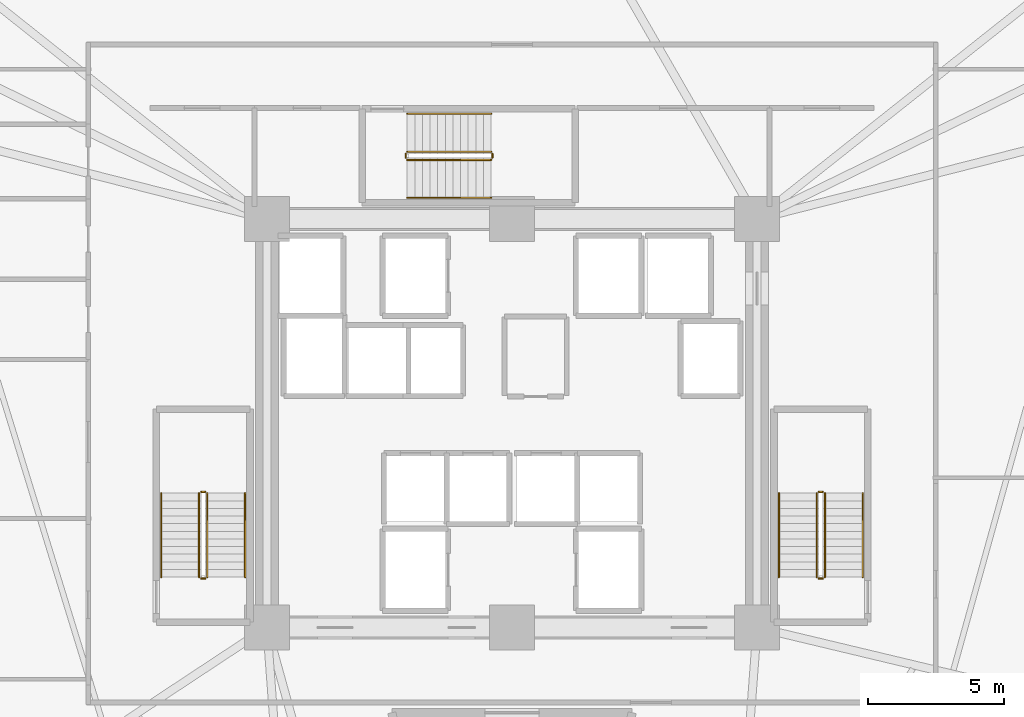
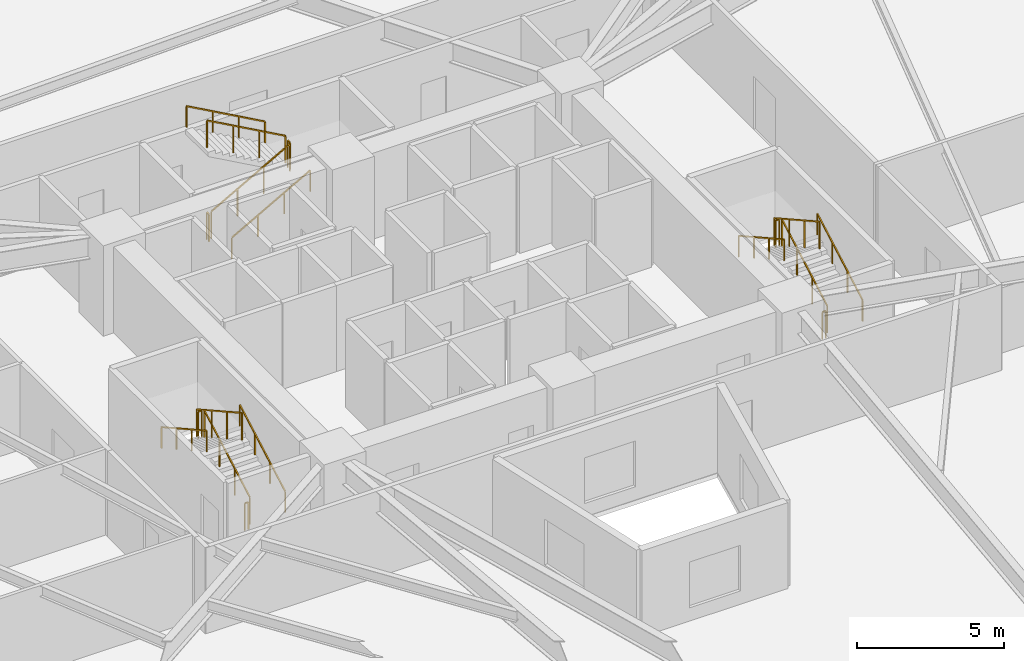
# One storey, part 8 of 8: 18 railings.
"""IFC4 building model written with IfcOpenShell, lengths in metres."""

from ifc_helpers import new_model, si_unit, direction, frame, origin, origin_2d, place, context, subcontext, project, spatial, rectangle, extrude, material, type_object, element, save


model = new_model("IFC4")

# Units and contexts
model_context = context("Model", 3, precision=1e-05, world=origin(), true_north=direction((0.0, 1.0)))
body_context = subcontext(model_context, "Body", "Model", "MODEL_VIEW")
ifc_project = project(units=[si_unit("LENGTHUNIT", "METRE"), si_unit("AREAUNIT", "SQUARE_METRE"), si_unit("VOLUMEUNIT", "CUBIC_METRE"), si_unit("PLANEANGLEUNIT", "RADIAN"), si_unit("MASSUNIT", "GRAM", prefix="KILO")], contexts=[model_context])

# Site, building, storey
site_placement = place(None, origin())
site = spatial("IfcSite", under=ifc_project, at=site_placement, CompositionType="ELEMENT")
building_placement = place(site_placement, origin())
building = spatial("IfcBuilding", under=site, at=building_placement, Name="Liaohun Quay Tower", CompositionType="ELEMENT")
storey_placement = place(building_placement, frame((0.0, 0.0, 32.25)))
storey = spatial("IfcBuildingStorey", under=building, at=storey_placement, Name="L08", CompositionType="ELEMENT", Elevation=32.25)

# Railings
ifc_material_1 = material(Name="Painted tubular steel", Category="steel")
railing_type_1 = type_object("IfcRailingType", Name="RLG-GUARD-STR", PredefinedType="GUARDRAIL", material=ifc_material_1)
railing_1_placement = place(storey_placement, frame((48.81005859375, 48.35009765625, 0.15625)))
element("IfcRailing", 1, at=railing_1_placement, inside=storey, type_object=railing_type_1, Name="L08 ST-1 stair guard 1", PredefinedType="GUARDRAIL", context=body_context, shape_type="SweptSolid", body=[
    extrude(rectangle(XDim=0.048095703125, YDim=0.048095703125, at=origin_2d()), frame((0.0, 0.0, 1.1259765625), z_axis=(0.0, 0.873225103656, 0.487317061414), x_axis=(-1.0, 0.0, 0.0)), (0.0, 0.0, 1.0), 3.52685546875),
    extrude(rectangle(XDim=0.0419921875, YDim=0.0419921875, at=origin_2d()), origin(), (0.0, 0.0, 1.0), 1.101806640625),
    extrude(rectangle(XDim=0.0419921875, YDim=0.0419921875, at=origin_2d()), frame((0.0, 1.026611328125, 0.572998046875)), (0.0, 0.0, 1.0), 1.101806640625),
    extrude(rectangle(XDim=0.0419921875, YDim=0.0419921875, at=origin_2d()), frame((0.0, 2.05322265625, 1.145751953125)), (0.0, 0.0, 1.0), 1.101806640625),
    extrude(rectangle(XDim=0.0419921875, YDim=0.0419921875, at=origin_2d()), frame((0.0, 3.079833984375, 1.71875)), (0.0, 0.0, 1.0), 1.101806640625),
])
railing_2_placement = place(storey_placement, frame((48.72998046875, 51.47998046875, 1.875)))
element("IfcRailing", 2, at=railing_2_placement, inside=storey, type_object=railing_type_1, Name="L08 ST-1 stair guard 2", PredefinedType="GUARDRAIL", context=body_context, shape_type="SweptSolid", body=[
    extrude(rectangle(XDim=0.048095703125, YDim=0.048095703125, at=origin_2d()), frame((0.0, 0.0, 1.1259765625), z_axis=(-1.0, 0.0, 0.0), x_axis=(0.0, -1.0, 0.0)), (0.0, 0.0, 1.0), 0.139892578125),
    extrude(rectangle(XDim=0.0419921875, YDim=0.0419921875, at=origin_2d()), origin(), (0.0, 0.0, 1.0), 1.101806640625),
    extrude(rectangle(XDim=0.0419921875, YDim=0.0419921875, at=origin_2d()), frame((-0.139892578125, 0.0, 0.0)), (0.0, 0.0, 1.0), 1.101806640625),
])
railing_3_placement = place(storey_placement, frame((48.510009765625, 51.429931640625, 2.03125)))
element("IfcRailing", 3, at=railing_3_placement, inside=storey, type_object=railing_type_1, Name="L08 ST-1 stair guard 3", PredefinedType="GUARDRAIL", context=body_context, shape_type="SweptSolid", body=[
    extrude(rectangle(XDim=0.048095703125, YDim=0.048095703125, at=origin_2d()), frame((0.0, 0.0, 1.1259765625), z_axis=(0.0, -0.873225103656, 0.487317061414), x_axis=(1.0, 0.0, 0.0)), (0.0, 0.0, 1.0), 3.52685546875),
    extrude(rectangle(XDim=0.0419921875, YDim=0.0419921875, at=origin_2d()), origin(), (0.0, 0.0, 1.0), 1.101806640625),
    extrude(rectangle(XDim=0.0419921875, YDim=0.0419921875, at=origin_2d()), frame((0.0, -1.026611328125, 0.572998046875)), (0.0, 0.0, 1.0), 1.101806640625),
    extrude(rectangle(XDim=0.0419921875, YDim=0.0419921875, at=origin_2d()), frame((0.0, -2.05322265625, 1.145751953125)), (0.0, 0.0, 1.0), 1.101806640625),
    extrude(rectangle(XDim=0.0419921875, YDim=0.0419921875, at=origin_2d()), frame((0.0, -3.079833984375, 1.71875)), (0.0, 0.0, 1.0), 1.101806640625),
])
railing_4_placement = place(storey_placement, frame((48.72998046875, 48.300048828125, 0.0)))
element("IfcRailing", 4, at=railing_4_placement, inside=storey, type_object=railing_type_1, Name="L08 ST-1 stair guard 4", PredefinedType="GUARDRAIL", context=body_context, shape_type="SweptSolid", body=[
    extrude(rectangle(XDim=0.048095703125, YDim=0.048095703125, at=origin_2d()), frame((0.0, 0.0, 1.1259765625), z_axis=(-1.0, 0.0, 0.0), x_axis=(0.0, -1.0, 0.0)), (0.0, 0.0, 1.0), 0.139892578125),
    extrude(rectangle(XDim=0.0419921875, YDim=0.0419921875, at=origin_2d()), origin(), (0.0, 0.0, 1.0), 1.101806640625),
    extrude(rectangle(XDim=0.0419921875, YDim=0.0419921875, at=origin_2d()), frame((-0.139892578125, 0.0, 0.0)), (0.0, 0.0, 1.0), 1.101806640625),
])
railing_5_placement = place(storey_placement, frame((71.489990234375, 48.35009765625, 0.15625)))
element("IfcRailing", 5, at=railing_5_placement, inside=storey, type_object=railing_type_1, Name="L08 ST-2 stair guard 1", PredefinedType="GUARDRAIL", context=body_context, shape_type="SweptSolid", body=[
    extrude(rectangle(XDim=0.048095703125, YDim=0.048095703125, at=origin_2d()), frame((0.0, 0.0, 1.1259765625), z_axis=(0.0, 0.873225103656, 0.487317061414), x_axis=(-1.0, 0.0, 0.0)), (0.0, 0.0, 1.0), 3.52685546875),
    extrude(rectangle(XDim=0.0419921875, YDim=0.0419921875, at=origin_2d()), origin(), (0.0, 0.0, 1.0), 1.101806640625),
    extrude(rectangle(XDim=0.0419921875, YDim=0.0419921875, at=origin_2d()), frame((0.0, 1.026611328125, 0.572998046875)), (0.0, 0.0, 1.0), 1.101806640625),
    extrude(rectangle(XDim=0.0419921875, YDim=0.0419921875, at=origin_2d()), frame((0.0, 2.05322265625, 1.145751953125)), (0.0, 0.0, 1.0), 1.101806640625),
    extrude(rectangle(XDim=0.0419921875, YDim=0.0419921875, at=origin_2d()), frame((0.0, 3.079833984375, 1.71875)), (0.0, 0.0, 1.0), 1.101806640625),
])
railing_6_placement = place(storey_placement, frame((71.409912109375, 51.47998046875, 1.875)))
element("IfcRailing", 6, at=railing_6_placement, inside=storey, type_object=railing_type_1, Name="L08 ST-2 stair guard 2", PredefinedType="GUARDRAIL", context=body_context, shape_type="SweptSolid", body=[
    extrude(rectangle(XDim=0.048095703125, YDim=0.048095703125, at=origin_2d()), frame((0.0, 0.0, 1.1259765625), z_axis=(-1.0, 0.0, 0.0), x_axis=(0.0, -1.0, 0.0)), (0.0, 0.0, 1.0), 0.139892578125),
    extrude(rectangle(XDim=0.0419921875, YDim=0.0419921875, at=origin_2d()), origin(), (0.0, 0.0, 1.0), 1.101806640625),
    extrude(rectangle(XDim=0.0419921875, YDim=0.0419921875, at=origin_2d()), frame((-0.139892578125, 0.0, 0.0)), (0.0, 0.0, 1.0), 1.101806640625),
])
railing_7_placement = place(storey_placement, frame((71.18994140625, 51.429931640625, 2.03125)))
element("IfcRailing", 7, at=railing_7_placement, inside=storey, type_object=railing_type_1, Name="L08 ST-2 stair guard 3", PredefinedType="GUARDRAIL", context=body_context, shape_type="SweptSolid", body=[
    extrude(rectangle(XDim=0.048095703125, YDim=0.048095703125, at=origin_2d()), frame((0.0, 0.0, 1.1259765625), z_axis=(0.0, -0.873225103656, 0.487317061414), x_axis=(1.0, 0.0, 0.0)), (0.0, 0.0, 1.0), 3.52685546875),
    extrude(rectangle(XDim=0.0419921875, YDim=0.0419921875, at=origin_2d()), origin(), (0.0, 0.0, 1.0), 1.101806640625),
    extrude(rectangle(XDim=0.0419921875, YDim=0.0419921875, at=origin_2d()), frame((0.0, -1.026611328125, 0.572998046875)), (0.0, 0.0, 1.0), 1.101806640625),
    extrude(rectangle(XDim=0.0419921875, YDim=0.0419921875, at=origin_2d()), frame((0.0, -2.05322265625, 1.145751953125)), (0.0, 0.0, 1.0), 1.101806640625),
    extrude(rectangle(XDim=0.0419921875, YDim=0.0419921875, at=origin_2d()), frame((0.0, -3.079833984375, 1.71875)), (0.0, 0.0, 1.0), 1.101806640625),
])
railing_8_placement = place(storey_placement, frame((71.409912109375, 48.300048828125, 0.0)))
element("IfcRailing", 8, at=railing_8_placement, inside=storey, type_object=railing_type_1, Name="L08 ST-2 stair guard 4", PredefinedType="GUARDRAIL", context=body_context, shape_type="SweptSolid", body=[
    extrude(rectangle(XDim=0.048095703125, YDim=0.048095703125, at=origin_2d()), frame((0.0, 0.0, 1.1259765625), z_axis=(-1.0, 0.0, 0.0), x_axis=(0.0, -1.0, 0.0)), (0.0, 0.0, 1.0), 0.139892578125),
    extrude(rectangle(XDim=0.0419921875, YDim=0.0419921875, at=origin_2d()), origin(), (0.0, 0.0, 1.0), 1.101806640625),
    extrude(rectangle(XDim=0.0419921875, YDim=0.0419921875, at=origin_2d()), frame((-0.139892578125, 0.0, 0.0)), (0.0, 0.0, 1.0), 1.101806640625),
])
railing_9_placement = place(storey_placement, frame((56.14990234375, 63.669921875, 0.15625)))
element("IfcRailing", 9, at=railing_9_placement, inside=storey, type_object=railing_type_1, Name="L08 ST-3 stair guard 1", PredefinedType="GUARDRAIL", context=body_context, shape_type="SweptSolid", body=[
    extrude(rectangle(XDim=0.048095703125, YDim=0.048095703125, at=origin_2d()), frame((0.0, 0.0, 1.1259765625), z_axis=(0.873241540666, 0.0, 0.487287606713), x_axis=(0.0, 1.0, 0.0)), (0.0, 0.0, 1.0), 3.527099609375),
    extrude(rectangle(XDim=0.0419921875, YDim=0.0419921875, at=origin_2d()), origin(), (0.0, 0.0, 1.0), 1.101806640625),
    extrude(rectangle(XDim=0.0419921875, YDim=0.0419921875, at=origin_2d()), frame((1.026611328125, 0.0, 0.572998046875)), (0.0, 0.0, 1.0), 1.101806640625),
    extrude(rectangle(XDim=0.0419921875, YDim=0.0419921875, at=origin_2d()), frame((2.053466796875, 0.0, 1.145751953125)), (0.0, 0.0, 1.0), 1.101806640625),
    extrude(rectangle(XDim=0.0419921875, YDim=0.0419921875, at=origin_2d()), frame((3.080078125, 0.0, 1.71875)), (0.0, 0.0, 1.0), 1.101806640625),
])
railing_10_placement = place(storey_placement, frame((59.280029296875, 63.75, 1.875)))
element("IfcRailing", 10, at=railing_10_placement, inside=storey, type_object=railing_type_1, Name="L08 ST-3 stair guard 2", PredefinedType="GUARDRAIL", context=body_context, shape_type="SweptSolid", body=[
    extrude(rectangle(XDim=0.048095703125, YDim=0.048095703125, at=origin_2d()), frame((0.0, 0.0, 1.1259765625), z_axis=(0.0, 1.0, 0.0), x_axis=(-1.0, 0.0, 0.0)), (0.0, 0.0, 1.0), 0.139892578125),
    extrude(rectangle(XDim=0.0419921875, YDim=0.0419921875, at=origin_2d()), origin(), (0.0, 0.0, 1.0), 1.101806640625),
    extrude(rectangle(XDim=0.0419921875, YDim=0.0419921875, at=origin_2d()), frame((0.0, 0.139892578125, 0.0)), (0.0, 0.0, 1.0), 1.101806640625),
])
railing_11_placement = place(storey_placement, frame((59.22998046875, 63.969970703125, 2.03125)))
element("IfcRailing", 11, at=railing_11_placement, inside=storey, type_object=railing_type_1, Name="L08 ST-3 stair guard 3", PredefinedType="GUARDRAIL", context=body_context, shape_type="SweptSolid", body=[
    extrude(rectangle(XDim=0.048095703125, YDim=0.048095703125, at=origin_2d()), frame((0.0, 0.0, 1.1259765625), z_axis=(-0.873241540666, 0.0, 0.487287606713), x_axis=(0.0, -1.0, 0.0)), (0.0, 0.0, 1.0), 3.527099609375),
    extrude(rectangle(XDim=0.0419921875, YDim=0.0419921875, at=origin_2d()), origin(), (0.0, 0.0, 1.0), 1.101806640625),
    extrude(rectangle(XDim=0.0419921875, YDim=0.0419921875, at=origin_2d()), frame((-1.026611328125, 0.0, 0.572998046875)), (0.0, 0.0, 1.0), 1.101806640625),
    extrude(rectangle(XDim=0.0419921875, YDim=0.0419921875, at=origin_2d()), frame((-2.053466796875, 0.0, 1.145751953125)), (0.0, 0.0, 1.0), 1.101806640625),
    extrude(rectangle(XDim=0.0419921875, YDim=0.0419921875, at=origin_2d()), frame((-3.080078125, 0.0, 1.71875)), (0.0, 0.0, 1.0), 1.101806640625),
])
railing_12_placement = place(storey_placement, frame((56.10009765625, 63.75, 0.0)))
element("IfcRailing", 12, at=railing_12_placement, inside=storey, type_object=railing_type_1, Name="L08 ST-3 stair guard 4", PredefinedType="GUARDRAIL", context=body_context, shape_type="SweptSolid", body=[
    extrude(rectangle(XDim=0.048095703125, YDim=0.048095703125, at=origin_2d()), frame((0.0, 0.0, 1.1259765625), z_axis=(0.0, 1.0, 0.0), x_axis=(-1.0, 0.0, 0.0)), (0.0, 0.0, 1.0), 0.139892578125),
    extrude(rectangle(XDim=0.0419921875, YDim=0.0419921875, at=origin_2d()), origin(), (0.0, 0.0, 1.0), 1.101806640625),
    extrude(rectangle(XDim=0.0419921875, YDim=0.0419921875, at=origin_2d()), frame((0.0, 0.139892578125, 0.0)), (0.0, 0.0, 1.0), 1.101806640625),
])
ifc_material_2 = material(Name="Brushed stainless steel", Category="steel")
railing_type_2 = type_object("IfcRailingType", Name="RLG-HND-STR", PredefinedType="HANDRAIL", material=ifc_material_2)
railing_13_placement = place(storey_placement, frame((50.199951171875, 48.35009765625, 0.15625)))
element("IfcRailing", 13, at=railing_13_placement, inside=storey, type_object=railing_type_2, Name="L08 ST-1 stair handrail 1", PredefinedType="HANDRAIL", context=body_context, shape_type="SweptSolid", body=[
    extrude(rectangle(XDim=0.048095703125, YDim=0.048095703125, at=origin_2d()), frame((0.0, 0.0, 0.8759765625), z_axis=(0.0, 0.873225103656, 0.487317061414), x_axis=(-1.0, 0.0, 0.0)), (0.0, 0.0, 1.0), 3.52685546875),
    extrude(rectangle(XDim=0.0419921875, YDim=0.0419921875, at=origin_2d()), origin(), (0.0, 0.0, 1.0), 0.851806640625),
    extrude(rectangle(XDim=0.0419921875, YDim=0.0419921875, at=origin_2d()), frame((0.0, 1.026611328125, 0.572998046875)), (0.0, 0.0, 1.0), 0.851806640625),
    extrude(rectangle(XDim=0.0419921875, YDim=0.0419921875, at=origin_2d()), frame((0.0, 2.05322265625, 1.145751953125)), (0.0, 0.0, 1.0), 0.851806640625),
    extrude(rectangle(XDim=0.0419921875, YDim=0.0419921875, at=origin_2d()), frame((0.0, 3.079833984375, 1.71875)), (0.0, 0.0, 1.0), 0.851806640625),
])
railing_14_placement = place(storey_placement, frame((47.1201171875, 51.429931640625, 2.03125)))
element("IfcRailing", 14, at=railing_14_placement, inside=storey, type_object=railing_type_2, Name="L08 ST-1 stair handrail 2", PredefinedType="HANDRAIL", context=body_context, shape_type="SweptSolid", body=[
    extrude(rectangle(XDim=0.048095703125, YDim=0.048095703125, at=origin_2d()), frame((0.0, 0.0, 0.8759765625), z_axis=(0.0, -0.873225103656, 0.487317061414), x_axis=(1.0, 0.0, 0.0)), (0.0, 0.0, 1.0), 3.52685546875),
    extrude(rectangle(XDim=0.0419921875, YDim=0.0419921875, at=origin_2d()), origin(), (0.0, 0.0, 1.0), 0.851806640625),
    extrude(rectangle(XDim=0.0419921875, YDim=0.0419921875, at=origin_2d()), frame((0.0, -1.026611328125, 0.572998046875)), (0.0, 0.0, 1.0), 0.851806640625),
    extrude(rectangle(XDim=0.0419921875, YDim=0.0419921875, at=origin_2d()), frame((0.0, -2.05322265625, 1.145751953125)), (0.0, 0.0, 1.0), 0.851806640625),
    extrude(rectangle(XDim=0.0419921875, YDim=0.0419921875, at=origin_2d()), frame((0.0, -3.079833984375, 1.71875)), (0.0, 0.0, 1.0), 0.851806640625),
])
railing_15_placement = place(storey_placement, frame((72.8798828125, 48.35009765625, 0.15625)))
element("IfcRailing", 15, at=railing_15_placement, inside=storey, type_object=railing_type_2, Name="L08 ST-2 stair handrail 1", PredefinedType="HANDRAIL", context=body_context, shape_type="SweptSolid", body=[
    extrude(rectangle(XDim=0.048095703125, YDim=0.048095703125, at=origin_2d()), frame((0.0, 0.0, 0.8759765625), z_axis=(0.0, 0.873225103656, 0.487317061414), x_axis=(-1.0, 0.0, 0.0)), (0.0, 0.0, 1.0), 3.52685546875),
    extrude(rectangle(XDim=0.0419921875, YDim=0.0419921875, at=origin_2d()), origin(), (0.0, 0.0, 1.0), 0.851806640625),
    extrude(rectangle(XDim=0.0419921875, YDim=0.0419921875, at=origin_2d()), frame((0.0, 1.026611328125, 0.572998046875)), (0.0, 0.0, 1.0), 0.851806640625),
    extrude(rectangle(XDim=0.0419921875, YDim=0.0419921875, at=origin_2d()), frame((0.0, 2.05322265625, 1.145751953125)), (0.0, 0.0, 1.0), 0.851806640625),
    extrude(rectangle(XDim=0.0419921875, YDim=0.0419921875, at=origin_2d()), frame((0.0, 3.079833984375, 1.71875)), (0.0, 0.0, 1.0), 0.851806640625),
])
railing_16_placement = place(storey_placement, frame((69.800048828125, 51.429931640625, 2.03125)))
element("IfcRailing", 16, at=railing_16_placement, inside=storey, type_object=railing_type_2, Name="L08 ST-2 stair handrail 2", PredefinedType="HANDRAIL", context=body_context, shape_type="SweptSolid", body=[
    extrude(rectangle(XDim=0.048095703125, YDim=0.048095703125, at=origin_2d()), frame((0.0, 0.0, 0.8759765625), z_axis=(0.0, -0.873225103656, 0.487317061414), x_axis=(1.0, 0.0, 0.0)), (0.0, 0.0, 1.0), 3.52685546875),
    extrude(rectangle(XDim=0.0419921875, YDim=0.0419921875, at=origin_2d()), origin(), (0.0, 0.0, 1.0), 0.851806640625),
    extrude(rectangle(XDim=0.0419921875, YDim=0.0419921875, at=origin_2d()), frame((0.0, -1.026611328125, 0.572998046875)), (0.0, 0.0, 1.0), 0.851806640625),
    extrude(rectangle(XDim=0.0419921875, YDim=0.0419921875, at=origin_2d()), frame((0.0, -2.05322265625, 1.145751953125)), (0.0, 0.0, 1.0), 0.851806640625),
    extrude(rectangle(XDim=0.0419921875, YDim=0.0419921875, at=origin_2d()), frame((0.0, -3.079833984375, 1.71875)), (0.0, 0.0, 1.0), 0.851806640625),
])
railing_17_placement = place(storey_placement, frame((56.14990234375, 62.280029296875, 0.15625)))
element("IfcRailing", 17, at=railing_17_placement, inside=storey, type_object=railing_type_2, Name="L08 ST-3 stair handrail 1", PredefinedType="HANDRAIL", context=body_context, shape_type="SweptSolid", body=[
    extrude(rectangle(XDim=0.048095703125, YDim=0.048095703125, at=origin_2d()), frame((0.0, 0.0, 0.8759765625), z_axis=(0.873241540666, 0.0, 0.487287606713), x_axis=(0.0, 1.0, 0.0)), (0.0, 0.0, 1.0), 3.527099609375),
    extrude(rectangle(XDim=0.0419921875, YDim=0.0419921875, at=origin_2d()), origin(), (0.0, 0.0, 1.0), 0.851806640625),
    extrude(rectangle(XDim=0.0419921875, YDim=0.0419921875, at=origin_2d()), frame((1.026611328125, 0.0, 0.572998046875)), (0.0, 0.0, 1.0), 0.851806640625),
    extrude(rectangle(XDim=0.0419921875, YDim=0.0419921875, at=origin_2d()), frame((2.053466796875, 0.0, 1.145751953125)), (0.0, 0.0, 1.0), 0.851806640625),
    extrude(rectangle(XDim=0.0419921875, YDim=0.0419921875, at=origin_2d()), frame((3.080078125, 0.0, 1.71875)), (0.0, 0.0, 1.0), 0.851806640625),
])
railing_18_placement = place(storey_placement, frame((59.22998046875, 65.360107421875, 2.03125)))
element("IfcRailing", 18, at=railing_18_placement, inside=storey, type_object=railing_type_2, Name="L08 ST-3 stair handrail 2", PredefinedType="HANDRAIL", context=body_context, shape_type="SweptSolid", body=[
    extrude(rectangle(XDim=0.048095703125, YDim=0.048095703125, at=origin_2d()), frame((0.0, 0.0, 0.8759765625), z_axis=(-0.873241540666, 0.0, 0.487287606713), x_axis=(0.0, -1.0, 0.0)), (0.0, 0.0, 1.0), 3.527099609375),
    extrude(rectangle(XDim=0.0419921875, YDim=0.0419921875, at=origin_2d()), origin(), (0.0, 0.0, 1.0), 0.851806640625),
    extrude(rectangle(XDim=0.0419921875, YDim=0.0419921875, at=origin_2d()), frame((-1.026611328125, 0.0, 0.572998046875)), (0.0, 0.0, 1.0), 0.851806640625),
    extrude(rectangle(XDim=0.0419921875, YDim=0.0419921875, at=origin_2d()), frame((-2.053466796875, 0.0, 1.145751953125)), (0.0, 0.0, 1.0), 0.851806640625),
    extrude(rectangle(XDim=0.0419921875, YDim=0.0419921875, at=origin_2d()), frame((-3.080078125, 0.0, 1.71875)), (0.0, 0.0, 1.0), 0.851806640625),
])

save(model, "model.ifc")
